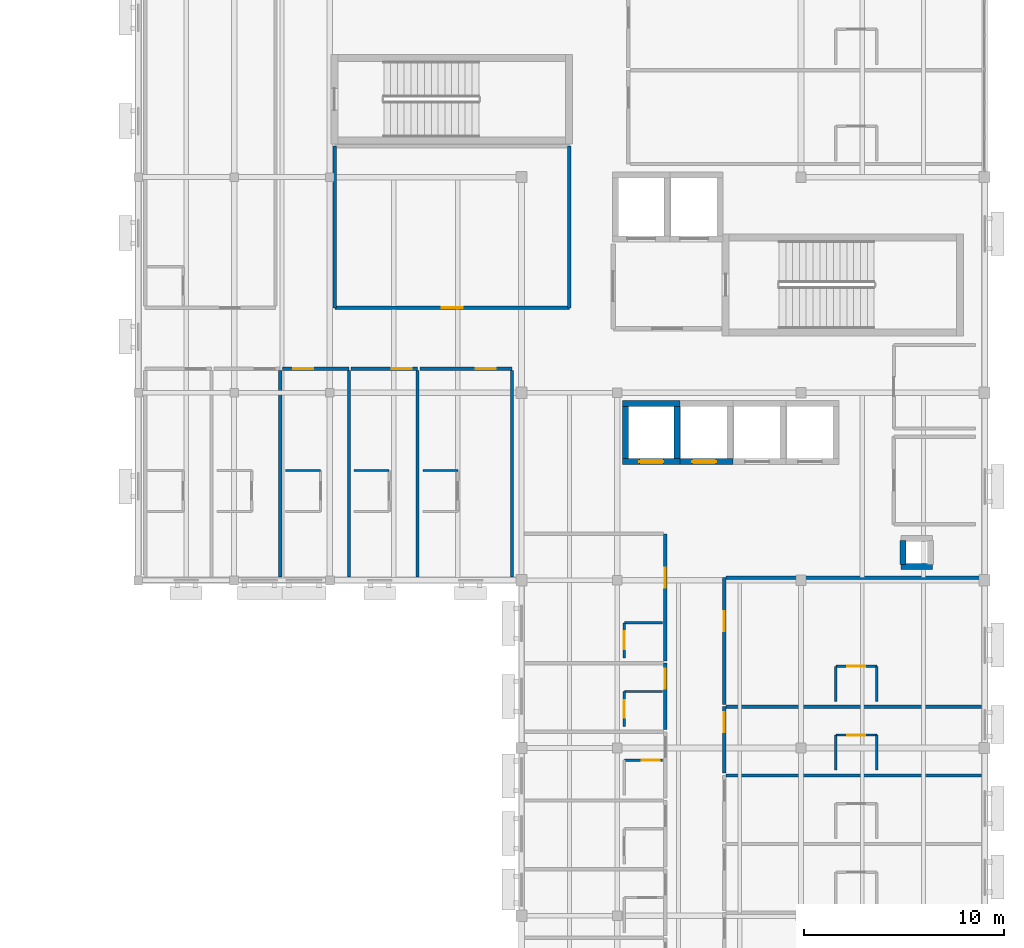
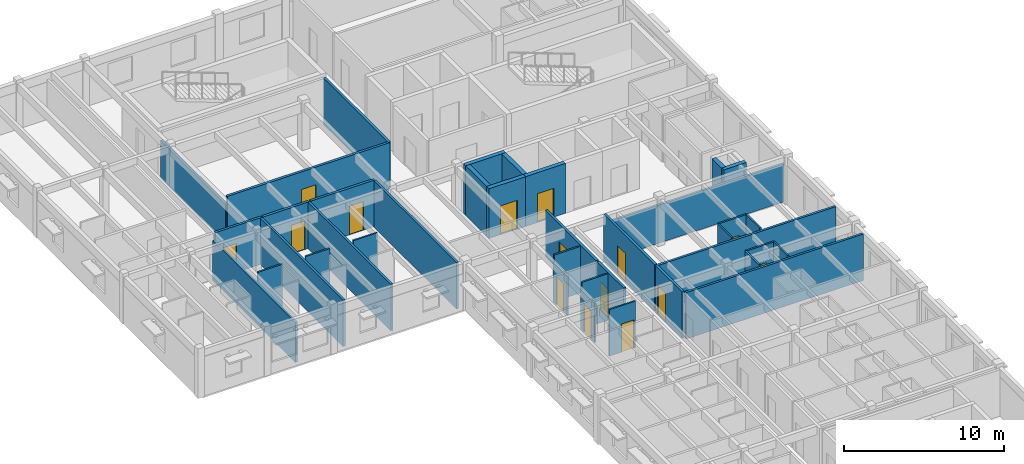
# One storey, part 17 of 31: 38 walls, 15 doors, 15 openings.
"""IFC4 building model written with IfcOpenShell, lengths in metres."""

import ifcopenshell
import ifcopenshell.guid

model = None  # the IFC model being written
_history = None  # IfcOwnerHistory: only IFC2X3 demands one
_inside = {}  # id of a spatial element -> (the spatial element, [elements in it])
_under = {}  # id of a project, library or spatial element -> (it, [spatial elements below it])
_declared = {}  # id of a project -> (the project, [libraries it declares])
_typed = {}  # id of a type object -> (the type object, [elements of that type])
_made_of = {}  # id of a material, layer set ... -> (it, [elements and type objects made of it])


def new_model(schema):
    """Start an empty IFC model of exactly this schema.

    Asked for "IFC4X3", IfcOpenShell would pick the latest addendum, in which some entities
    have other attributes; the version numbers below select the first issue.
    IFC2X3 requires an IfcOwnerHistory on every rooted entity: one is made here for all.
    """
    global model, _history
    if schema == "IFC4X3":
        model = ifcopenshell.file(schema_version=(4, 3, 0, 0))
    else:
        model = ifcopenshell.file(schema=schema)
    _inside.clear()
    _under.clear()
    _declared.clear()
    _typed.clear()
    _made_of.clear()
    _history = None
    if model.schema == "IFC2X3":
        org = make("IfcOrganization", Name="unknown")
        user = make(
            "IfcPersonAndOrganization",
            ThePerson=make("IfcPerson", FamilyName="unknown"),
            TheOrganization=org,
        )
        app = make(
            "IfcApplication",
            ApplicationDeveloper=org,
            Version="unknown",
            ApplicationFullName="unknown",
            ApplicationIdentifier="unknown",
        )
        _history = make(
            "IfcOwnerHistory",
            OwningUser=user,
            OwningApplication=app,
            ChangeAction="ADDED",
            CreationDate=0,
        )
    return model


def make(cls, **values):
    """One entity of the class cls with the attributes given. An attribute that is None is left unset."""
    return model.create_entity(
        cls, **{name: value for name, value in values.items() if value is not None}
    )


def rooted(cls, **values):
    """An entity with a GlobalId (a new one), such as an element, a storey or a relation."""
    return make(cls, GlobalId=ifcopenshell.guid.new(), OwnerHistory=_history, **values)


def si_unit(unit_type, name, prefix=None):
    """IfcSIUnit, for example si_unit("LENGTHUNIT", "METRE", prefix="MILLI")."""
    return make("IfcSIUnit", UnitType=unit_type, Prefix=prefix, Name=name)


def assignment(units):
    """IfcUnitAssignment: the units of a project."""
    return None if units is None else make("IfcUnitAssignment", Units=units)


def point(xyz):
    """IfcCartesianPoint."""
    return None if xyz is None else make("IfcCartesianPoint", Coordinates=xyz)


def direction(xyz):
    """IfcDirection."""
    return None if xyz is None else make("IfcDirection", DirectionRatios=xyz)


def frame(location, z_axis=None, x_axis=None):
    """IfcAxis2Placement3D, a coordinate frame: its origin and axes. An axis left out is left unset."""
    return make(
        "IfcAxis2Placement3D",
        Location=point(location),
        Axis=direction(z_axis),
        RefDirection=direction(x_axis),
    )


def frame_2d(location, x_axis=None):
    """IfcAxis2Placement2D, a coordinate frame in the plane: its origin and x axis."""
    return make(
        "IfcAxis2Placement2D", Location=point(location), RefDirection=direction(x_axis)
    )


def origin():
    """The frame at (0, 0, 0) with its axes left unset."""
    return frame((0.0, 0.0, 0.0))


def place(relative_to, where):
    """IfcLocalPlacement: puts the frame where relative to a parent placement (None: the world)."""
    return make(
        "IfcLocalPlacement", PlacementRelTo=relative_to, RelativePlacement=where
    )


def context(
    kind, dimensions, precision=None, world=None, true_north=None, identifier=None
):
    """IfcGeometricRepresentationContext, for example the 3D "Model" context."""
    return make(
        "IfcGeometricRepresentationContext",
        ContextIdentifier=identifier,
        ContextType=kind,
        CoordinateSpaceDimension=dimensions,
        Precision=precision,
        WorldCoordinateSystem=world,
        TrueNorth=true_north,
    )


def subcontext(parent, identifier, kind, view, scale=None):
    """IfcGeometricRepresentationSubContext, for example "Body" below "Model"."""
    return make(
        "IfcGeometricRepresentationSubContext",
        ContextIdentifier=identifier,
        ContextType=kind,
        ParentContext=parent,
        TargetScale=scale,
        TargetView=view,
    )


def project(units=None, contexts=None):
    """IfcProject with its units and contexts."""
    return rooted(
        "IfcProject",
        Name="project",
        RepresentationContexts=contexts,
        UnitsInContext=assignment(units),
    )


def spatial(cls, under=None, at=None, **own):
    """A site, building, storey or space (cls), placed at a placement, below another one or the project."""
    s = rooted(cls, ObjectPlacement=at, **own)
    if under is not None:
        _under.setdefault(under.id(), (under, []))[1].append(s)
    return s


def profile(cls, at=None, kind="AREA", **sizes):
    """A parametric profile (cls). Its sizes go by their IFC names, for example OverallWidth=200.0."""
    return make(cls, ProfileType=kind, Position=at, **sizes)


def rectangle(**sizes):
    """IfcRectangleProfileDef."""
    return profile("IfcRectangleProfileDef", **sizes)


def extrude(swept, where, along, depth):
    """IfcExtrudedAreaSolid: the profile swept, set in the frame where, extruded along a direction by depth."""
    return make(
        "IfcExtrudedAreaSolid",
        SweptArea=swept,
        Position=where,
        ExtrudedDirection=direction(along),
        Depth=depth,
    )


def shape(context_of_items, identifier, shape_type, items):
    """IfcShapeRepresentation: the items that make up one representation, for example the "Body"."""
    return make(
        "IfcShapeRepresentation",
        ContextOfItems=context_of_items,
        RepresentationIdentifier=identifier,
        RepresentationType=shape_type,
        Items=items,
    )


def material(Name=None, Category=None):
    """IfcMaterial."""
    return make("IfcMaterial", Name=Name, Category=Category)


def layer(
    of_material, thickness, ventilated=None, Name=None, Category=None, Priority=None
):
    """IfcMaterialLayer: one layer of a wall or slab, of a material (None: an air gap)."""
    return make(
        "IfcMaterialLayer",
        Material=of_material,
        LayerThickness=thickness,
        IsVentilated=ventilated,
        Name=Name,
        Category=Category,
        Priority=Priority,
    )


def layer_set(layers, Name=None):
    """IfcMaterialLayerSet."""
    return make("IfcMaterialLayerSet", MaterialLayers=layers, LayerSetName=Name)


def made_of(thing, what):
    """Note that an element or type object is made of a material, layer set ...; save() writes the relation."""
    if what is not None:
        _made_of.setdefault(what.id(), (what, []))[1].append(thing)
    return thing


def type_object(cls, material=None, **own):
    """A type object (cls), such as IfcWallType, which elements share."""
    return made_of(rooted(cls, **own), material)


def element(
    cls,
    number,
    at=None,
    inside=None,
    cuts=None,
    type_object=None,
    material=None,
    context=None,
    identifier="Body",
    shape_type=None,
    held_by="IfcProductDefinitionShape",
    body=None,
    shapes=None,
    **own,
):
    """One element of the class cls, such as IfcWall. Its Tag is "e" and its number.

    at: its placement. inside: the storey or other place that contains it. cuts: it is an
    opening in that element (IfcRelVoidsElement). A single representation is given by context,
    identifier, shape_type and body (its items); several are given by shapes. held_by: the class
    of the entity that holds the representations. save() writes the other relations.
    """
    e = rooted(cls, Tag="e%d" % number, ObjectPlacement=at, **own)
    if body is not None:
        shapes = [shape(context, identifier, shape_type, body)]
    if shapes is not None:
        e.Representation = make(held_by, Representations=shapes)
    if inside is not None:
        _inside.setdefault(inside.id(), (inside, []))[1].append(e)
    if cuts is not None:
        rooted(
            "IfcRelVoidsElement", RelatingBuildingElement=cuts, RelatedOpeningElement=e
        )
    if type_object is not None:
        _typed.setdefault(type_object.id(), (type_object, []))[1].append(e)
    return made_of(e, material)


def fill(opening, filler):
    """IfcRelFillsElement: the door or window that sits in an opening."""
    return rooted(
        "IfcRelFillsElement",
        RelatingOpeningElement=opening,
        RelatedBuildingElement=filler,
    )


def aggregate(whole, parts):
    """IfcRelAggregates: a whole, such as a stair, and the parts it consists of."""
    return rooted("IfcRelAggregates", RelatingObject=whole, RelatedObjects=parts)


def save(model, path):
    """Write the relations noted so far, then the file.

    IfcRelAggregates (storeys below a building ...), IfcRelContainedInSpatialStructure (elements
    in a storey), IfcRelDefinesByType, IfcRelAssociatesMaterial and IfcRelDeclares: one each for
    every whole, place, type object, material and project.
    """
    for whole, parts in _under.values():
        aggregate(whole, parts)
    for where, things in _inside.values():
        rooted(
            "IfcRelContainedInSpatialStructure",
            RelatedElements=things,
            RelatingStructure=where,
        )
    for kind, things in _typed.values():
        rooted("IfcRelDefinesByType", RelatedObjects=things, RelatingType=kind)
    for what, things in _made_of.values():
        rooted("IfcRelAssociatesMaterial", RelatedObjects=things, RelatingMaterial=what)
    for by, libraries in _declared.values():
        rooted("IfcRelDeclares", RelatingContext=by, RelatedDefinitions=libraries)
    model.write(path)


model = new_model("IFC4")

# Units and contexts
model_context = context("Model", 3, precision=1e-05, world=origin(), true_north=direction((0.0, 1.0)))
body_context = subcontext(model_context, "Body", "Model", "MODEL_VIEW")
ifc_project = project(units=[si_unit("LENGTHUNIT", "METRE"), si_unit("AREAUNIT", "SQUARE_METRE"), si_unit("VOLUMEUNIT", "CUBIC_METRE"), si_unit("PLANEANGLEUNIT", "RADIAN"), si_unit("MASSUNIT", "GRAM", prefix="KILO")], contexts=[model_context])

# Site, building, storey
site_placement = place(None, origin())
site = spatial("IfcSite", under=ifc_project, at=site_placement, CompositionType="ELEMENT")
building_placement = place(site_placement, origin())
building = spatial("IfcBuilding", under=site, at=building_placement, Name="Veldera Park Congress Hotel", CompositionType="ELEMENT")
storey_placement = place(building_placement, frame((0.0, 0.0, 20.0)))
storey = spatial("IfcBuildingStorey", under=building, at=storey_placement, Name="L04", CompositionType="ELEMENT", Elevation=20.0)

# Wall, opening, door
ifc_material_1 = material(Name="Fire-Rated Gypsum Board on Cold-Formed Steel Studs", Category="steel")
ifc_layer_1 = layer(ifc_material_1, 0.1201171875)
ifc_layer_set_1 = layer_set([ifc_layer_1], Name="Fire-Rated Gypsum Board on Cold-Formed Steel Studs")
wall_type_1 = type_object("IfcWallType", Name="IW-BATH120", PredefinedType="PARTITIONING", material=ifc_layer_set_1)
wall_1_placement = place(storey_placement, frame((65.949951171875, 17.989990234375, 0.0), z_axis=(0.0, 0.0, 1.0), x_axis=(1.0, 0.0, 0.0)))
wall_1 = element("IfcWall", 1, at=wall_1_placement, inside=storey, type_object=wall_type_1, Name="L04 Partition Wall IW3-L04-00870", PredefinedType="PARTITIONING", context=body_context, shape_type="SweptSolid", body=[
    extrude(rectangle(XDim=1.900146484375, YDim=0.1201171875, at=frame_2d((0.9501953125, 0.0))), origin(), (0.0, 0.0, 1.0), 3.550048828125),
])
opening_1_placement = place(wall_1_placement, frame((0.8798828125, 0.0, 0.0)))
opening_1 = element("IfcOpeningElement", 2, at=opening_1_placement, cuts=wall_1, Name="Opening ID-BATH090", PredefinedType="OPENING", context=body_context, shape_type="SweptSolid", body=[
    extrude(rectangle(XDim=0.89990234375, YDim=2.14990234375, at=frame_2d((0.449951171875, 1.074951171875))), frame((0.0, 0.072021484375, 0.0), z_axis=(0.0, -1.0, 0.0), x_axis=(1.0, 0.0, 0.0)), (0.0, 0.0, 1.0), 0.14404296875),
])
ifc_material_2 = material(Name="Solid Core White Oak Architectural Door", Category="wood")
door_type_1 = type_object("IfcDoorType", Name="ID-BATH090", OperationType="NOTDEFINED", PredefinedType="DOOR", material=ifc_material_2)
door_1_placement = place(opening_1_placement, origin())
door_1 = element("IfcDoor", 3, at=door_1_placement, inside=storey, type_object=door_type_1, Name="L04 En-suite 111 Door ID3-L04-0361 (DR3-ID3-L04-0361)", OperationType="SINGLE_SWING_LEFT", OverallHeight=2.14990234375, OverallWidth=0.89990234375, PredefinedType="DOOR", context=body_context, shape_type="SweptSolid", body=[
    extrude(rectangle(XDim=0.89990234375, YDim=2.14990234375, at=frame_2d((0.449951171875, 1.074951171875))), frame((0.0, 0.02490234375, 0.0), z_axis=(0.0, -1.0, 0.0), x_axis=(1.0, 0.0, 0.0)), (0.0, 0.0, 1.0), 0.050048828125),
])
fill(opening_1, door_1)

wall_2_placement = place(storey_placement, frame((65.949951171875, 19.679931640625, 0.0), z_axis=(0.0, 0.0, 1.0), x_axis=(0.0, 1.0, 0.0)))
wall_2 = element("IfcWall", 4, at=wall_2_placement, inside=storey, type_object=wall_type_1, Name="L04 Partition Wall IW3-L04-00873", PredefinedType="PARTITIONING", context=body_context, shape_type="SweptSolid", body=[
    extrude(rectangle(XDim=1.75, YDim=0.1201171875, at=frame_2d((0.875, 0.0))), origin(), (0.0, 0.0, 1.0), 3.0048828125),
])
opening_2_placement = place(wall_2_placement, frame((0.425048828125, 0.0, 0.0)))
opening_2 = element("IfcOpeningElement", 5, at=opening_2_placement, cuts=wall_2, Name="Opening ID-BATH090", PredefinedType="OPENING", context=body_context, shape_type="SweptSolid", body=[
    extrude(rectangle(XDim=0.89990234375, YDim=2.14990234375, at=frame_2d((0.449951171875, 1.074951171875))), frame((0.0, 0.072021484375, 0.0), z_axis=(0.0, -1.0, 0.0), x_axis=(1.0, 0.0, 0.0)), (0.0, 0.0, 1.0), 0.14404296875),
])
door_2_placement = place(opening_2_placement, origin())
door_2 = element("IfcDoor", 6, at=door_2_placement, inside=storey, type_object=door_type_1, Name="L04 En-suite 112 Door ID3-L04-0363 (DR3-ID3-L04-0363)", OperationType="SINGLE_SWING_LEFT", OverallHeight=2.14990234375, OverallWidth=0.89990234375, PredefinedType="DOOR", context=body_context, shape_type="SweptSolid", body=[
    extrude(rectangle(XDim=0.89990234375, YDim=2.14990234375, at=frame_2d((0.449951171875, 1.074951171875))), frame((0.0, 0.02490234375, 0.0), z_axis=(0.0, -1.0, 0.0), x_axis=(1.0, 0.0, 0.0)), (0.0, 0.0, 1.0), 0.050048828125),
])
fill(opening_2, door_2)

# Wall
wall_3_placement = place(storey_placement, frame((65.949951171875, 21.429931640625, 0.0), z_axis=(0.0, 0.0, 1.0), x_axis=(1.0, 0.0, 0.0)))
element("IfcWall", 7, at=wall_3_placement, inside=storey, type_object=wall_type_1, Name="L04 Partition Wall IW3-L04-00874", PredefinedType="PARTITIONING", context=body_context, shape_type="SweptSolid", body=[
    extrude(rectangle(XDim=1.900146484375, YDim=0.1201171875, at=frame_2d((0.9501953125, 0.0))), origin(), (0.0, 0.0, 1.0), 3.550048828125),
])

# Wall, opening, door
wall_4_placement = place(storey_placement, frame((65.949951171875, 23.1201171875, 0.0), z_axis=(0.0, 0.0, 1.0), x_axis=(0.0, 1.0, 0.0)))
wall_4 = element("IfcWall", 8, at=wall_4_placement, inside=storey, type_object=wall_type_1, Name="L04 Partition Wall IW3-L04-00877", PredefinedType="PARTITIONING", context=body_context, shape_type="SweptSolid", body=[
    extrude(rectangle(XDim=1.75, YDim=0.1201171875, at=frame_2d((0.875, 0.0))), origin(), (0.0, 0.0, 1.0), 3.0048828125),
])
opening_3_placement = place(wall_4_placement, frame((0.425048828125, 0.0, 0.0)))
opening_3 = element("IfcOpeningElement", 9, at=opening_3_placement, cuts=wall_4, Name="Opening ID-BATH090", PredefinedType="OPENING", context=body_context, shape_type="SweptSolid", body=[
    extrude(rectangle(XDim=0.89990234375, YDim=2.14990234375, at=frame_2d((0.449951171875, 1.074951171875))), frame((0.0, 0.072021484375, 0.0), z_axis=(0.0, -1.0, 0.0), x_axis=(1.0, 0.0, 0.0)), (0.0, 0.0, 1.0), 0.14404296875),
])
door_3_placement = place(opening_3_placement, origin())
door_3 = element("IfcDoor", 10, at=door_3_placement, inside=storey, type_object=door_type_1, Name="L04 En-suite 113 Door ID3-L04-0365 (DR3-ID3-L04-0365)", OperationType="SINGLE_SWING_LEFT", OverallHeight=2.14990234375, OverallWidth=0.89990234375, PredefinedType="DOOR", context=body_context, shape_type="SweptSolid", body=[
    extrude(rectangle(XDim=0.89990234375, YDim=2.14990234375, at=frame_2d((0.449951171875, 1.074951171875))), frame((0.0, 0.02490234375, 0.0), z_axis=(0.0, -1.0, 0.0), x_axis=(1.0, 0.0, 0.0)), (0.0, 0.0, 1.0), 0.050048828125),
])
fill(opening_3, door_3)

# Walls
wall_5_placement = place(storey_placement, frame((65.949951171875, 24.8701171875, 0.0), z_axis=(0.0, 0.0, 1.0), x_axis=(1.0, 0.0, 0.0)))
element("IfcWall", 11, at=wall_5_placement, inside=storey, type_object=wall_type_1, Name="L04 Partition Wall IW3-L04-00878", PredefinedType="PARTITIONING", context=body_context, shape_type="SweptSolid", body=[
    extrude(rectangle(XDim=1.900146484375, YDim=0.1201171875, at=frame_2d((0.9501953125, 0.0))), origin(), (0.0, 0.0, 1.0), 3.550048828125),
])
for number, where, z_axis, x_axis, name in (
    (12, (76.550048828125, 17.5, 0.0), (0.0, 0.0, 1.0), (0.0, 1.0, 0.0), "L04 Partition Wall IW3-L04-00958"),
    (13, (78.60009765625, 17.5, 0.0), (0.0, 0.0, 1.0), (0.0, 1.0, 0.0), "L04 Partition Wall IW3-L04-00959"),
):
    element("IfcWall", number, at=place(storey_placement, frame(where, z_axis=z_axis, x_axis=x_axis)), inside=storey, type_object=wall_type_1, Name=name, PredefinedType="PARTITIONING", context=body_context, shape_type="SweptSolid", body=[
        extrude(rectangle(XDim=1.75, YDim=0.1201171875, at=frame_2d((0.875, 0.0))), origin(), (0.0, 0.0, 1.0), 3.550048828125),
    ])

# Wall, opening, door
wall_6_placement = place(storey_placement, frame((76.550048828125, 19.25, 0.0), z_axis=(0.0, 0.0, 1.0), x_axis=(1.0, 0.0, 0.0)))
wall_6 = element("IfcWall", 14, at=wall_6_placement, inside=storey, type_object=wall_type_1, Name="L04 Partition Wall IW3-L04-00960", PredefinedType="PARTITIONING", context=body_context, shape_type="SweptSolid", body=[
    extrude(rectangle(XDim=2.050048828125, YDim=0.1201171875, at=frame_2d((1.02490234375, 0.0))), origin(), (0.0, 0.0, 1.0), 3.550048828125),
])
opening_4_placement = place(wall_6_placement, frame((0.574951171875, 0.0, 0.0)))
opening_4 = element("IfcOpeningElement", 15, at=opening_4_placement, cuts=wall_6, Name="Opening ID-BATH090", PredefinedType="OPENING", context=body_context, shape_type="SweptSolid", body=[
    extrude(rectangle(XDim=0.89990234375, YDim=2.14990234375, at=frame_2d((0.449951171875, 1.074951171875))), frame((0.0, 0.072021484375, 0.0), z_axis=(0.0, -1.0, 0.0), x_axis=(1.0, 0.0, 0.0)), (0.0, 0.0, 1.0), 0.14404296875),
])
door_4_placement = place(opening_4_placement, origin())
door_4 = element("IfcDoor", 16, at=door_4_placement, inside=storey, type_object=door_type_1, Name="L04 En-suite 129 Door ID3-L04-0397 (DR3-ID3-L04-0397)", OperationType="SINGLE_SWING_LEFT", OverallHeight=2.14990234375, OverallWidth=0.89990234375, PredefinedType="DOOR", context=body_context, shape_type="SweptSolid", body=[
    extrude(rectangle(XDim=0.89990234375, YDim=2.14990234375, at=frame_2d((0.449951171875, 1.074951171875))), frame((0.0, 0.02490234375, 0.0), z_axis=(0.0, -1.0, 0.0), x_axis=(1.0, 0.0, 0.0)), (0.0, 0.0, 1.0), 0.050048828125),
])
fill(opening_4, door_4)

# Walls
for number, where, z_axis, x_axis, name in (
    (17, (76.550048828125, 20.93994140625, 0.0), (0.0, 0.0, 1.0), (0.0, 1.0, 0.0), "L04 Partition Wall IW3-L04-00963"),
    (18, (78.60009765625, 20.93994140625, 0.0), (0.0, 0.0, 1.0), (0.0, 1.0, 0.0), "L04 Partition Wall IW3-L04-00964"),
):
    element("IfcWall", number, at=place(storey_placement, frame(where, z_axis=z_axis, x_axis=x_axis)), inside=storey, type_object=wall_type_1, Name=name, PredefinedType="PARTITIONING", context=body_context, shape_type="SweptSolid", body=[
        extrude(rectangle(XDim=1.75, YDim=0.1201171875, at=frame_2d((0.875, 0.0))), origin(), (0.0, 0.0, 1.0), 3.550048828125),
    ])

# Wall, opening, door
wall_7_placement = place(storey_placement, frame((76.550048828125, 22.68994140625, 0.0), z_axis=(0.0, 0.0, 1.0), x_axis=(1.0, 0.0, 0.0)))
wall_7 = element("IfcWall", 19, at=wall_7_placement, inside=storey, type_object=wall_type_1, Name="L04 Partition Wall IW3-L04-00965", PredefinedType="PARTITIONING", context=body_context, shape_type="SweptSolid", body=[
    extrude(rectangle(XDim=2.050048828125, YDim=0.1201171875, at=frame_2d((1.02490234375, 0.0))), origin(), (0.0, 0.0, 1.0), 3.550048828125),
])
opening_5_placement = place(wall_7_placement, frame((0.574951171875, 0.0, 0.0)))
opening_5 = element("IfcOpeningElement", 20, at=opening_5_placement, cuts=wall_7, Name="Opening ID-BATH090", PredefinedType="OPENING", context=body_context, shape_type="SweptSolid", body=[
    extrude(rectangle(XDim=0.89990234375, YDim=2.14990234375, at=frame_2d((0.449951171875, 1.074951171875))), frame((0.0, 0.072021484375, 0.0), z_axis=(0.0, -1.0, 0.0), x_axis=(1.0, 0.0, 0.0)), (0.0, 0.0, 1.0), 0.14404296875),
])
door_5_placement = place(opening_5_placement, origin())
door_5 = element("IfcDoor", 21, at=door_5_placement, inside=storey, type_object=door_type_1, Name="L04 En-suite 130 Door ID3-L04-0399 (DR3-ID3-L04-0399)", OperationType="SINGLE_SWING_LEFT", OverallHeight=2.14990234375, OverallWidth=0.89990234375, PredefinedType="DOOR", context=body_context, shape_type="SweptSolid", body=[
    extrude(rectangle(XDim=0.89990234375, YDim=2.14990234375, at=frame_2d((0.449951171875, 1.074951171875))), frame((0.0, 0.02490234375, 0.0), z_axis=(0.0, -1.0, 0.0), x_axis=(1.0, 0.0, 0.0)), (0.0, 0.0, 1.0), 0.050048828125),
])
fill(opening_5, door_5)

# Walls
for number, where, z_axis, x_axis, name in (
    (22, (48.97998046875, 32.5, 0.0), (0.0, 0.0, 1.0), (1.0, 0.0, 0.0), "L04 Partition Wall IW3-L04-00979"),
    (23, (52.419921875, 32.5, 0.0), (0.0, 0.0, 1.0), (1.0, 0.0, 0.0), "L04 Partition Wall IW3-L04-00984"),
    (24, (55.860107421875, 32.5, 0.0), (0.0, 0.0, 1.0), (1.0, 0.0, 0.0), "L04 Partition Wall IW3-L04-00989"),
):
    element("IfcWall", number, at=place(storey_placement, frame(where, z_axis=z_axis, x_axis=x_axis)), inside=storey, type_object=wall_type_1, Name=name, PredefinedType="PARTITIONING", context=body_context, shape_type="SweptSolid", body=[
        extrude(rectangle(XDim=1.75, YDim=0.1201171875, at=frame_2d((0.875, 0.0))), origin(), (0.0, 0.0, 1.0), 3.550048828125),
    ])

# Wall, opening, door
ifc_layer_2 = layer(ifc_material_1, 0.179931640625)
ifc_layer_set_2 = layer_set([ifc_layer_2], Name="Fire-Rated Gypsum Board on Cold-Formed Steel Studs")
wall_type_2 = type_object("IfcWallType", Name="IW-CORR180", PredefinedType="PARTITIONING", material=ifc_layer_set_2)
wall_8_placement = place(storey_placement, frame((51.449951171875, 40.64990234375, 0.0), z_axis=(0.0, 0.0, 1.0), x_axis=(1.0, 0.0, 0.0)))
wall_8 = element("IfcWall", 25, at=wall_8_placement, inside=storey, type_object=wall_type_2, Name="L04 Partition Wall IW3-L04-00245", PredefinedType="PARTITIONING", context=body_context, shape_type="SweptSolid", body=[
    extrude(rectangle(XDim=11.75, YDim=0.179931640625, at=frame_2d((5.875, 0.0))), origin(), (0.0, 0.0, 1.0), 3.550048828125),
])
opening_6_placement = place(wall_8_placement, frame((5.35009765625, 0.0, 0.0)))
opening_6 = element("IfcOpeningElement", 26, at=opening_6_placement, cuts=wall_8, Name="Opening ID-MEET105", PredefinedType="OPENING", context=body_context, shape_type="SweptSolid", body=[
    extrude(rectangle(XDim=1.050048828125, YDim=2.199951171875, at=frame_2d((0.52490234375, 1.10009765625))), frame((0.0, 0.10205078125, 0.0), z_axis=(0.0, -1.0, 0.0), x_axis=(1.0, 0.0, 0.0)), (0.0, 0.0, 1.0), 0.203857421875),
])
door_type_2 = type_object("IfcDoorType", Name="ID-MEET105", OperationType="NOTDEFINED", PredefinedType="DOOR", material=ifc_material_2)
door_6_placement = place(opening_6_placement, origin())
door_6 = element("IfcDoor", 27, at=door_6_placement, inside=storey, type_object=door_type_2, Name="L04 L04 North Garden Executive Boardroom Door ID3-L04-0089 (DR3-ID3-L04-0089)", OperationType="SINGLE_SWING_RIGHT", OverallHeight=2.199951171875, OverallWidth=1.050048828125, PredefinedType="DOOR", context=body_context, shape_type="SweptSolid", body=[
    extrude(rectangle(XDim=1.050048828125, YDim=2.199951171875, at=frame_2d((0.52490234375, 1.10009765625))), frame((0.0, 0.02490234375, 0.0), z_axis=(0.0, -1.0, 0.0), x_axis=(1.0, 0.0, 0.0)), (0.0, 0.0, 1.0), 0.050048828125),
])
fill(opening_6, door_6)

# Walls
wall_9_placement = place(storey_placement, frame((63.199951171875, 40.64990234375, 0.0), z_axis=(0.0, 0.0, 1.0), x_axis=(0.0, 1.0, 0.0)))
element("IfcWall", 28, at=wall_9_placement, inside=storey, type_object=wall_type_2, Name="L04 Partition Wall IW3-L04-00246", PredefinedType="PARTITIONING", context=body_context, shape_type="SweptSolid", body=[
    extrude(rectangle(XDim=8.10009765625, YDim=0.179931640625, at=frame_2d((4.050048828125, 0.0))), origin(), (0.0, 0.0, 1.0), 3.550048828125),
])
wall_10_placement = place(storey_placement, frame((51.449951171875, 48.75, 0.0), z_axis=(0.0, 0.0, 1.0), x_axis=(0.0, -1.0, 0.0)))
element("IfcWall", 29, at=wall_10_placement, inside=storey, type_object=wall_type_2, Name="L04 Partition Wall IW3-L04-00248", PredefinedType="PARTITIONING", context=body_context, shape_type="SweptSolid", body=[
    extrude(rectangle(XDim=8.10009765625, YDim=0.179931640625, at=frame_2d((4.050048828125, 0.0))), origin(), (0.0, 0.0, 1.0), 2.905029296875),
])

# Wall, opening, door
wall_11_placement = place(storey_placement, frame((68.0, 19.530029296875, 0.0), z_axis=(0.0, 0.0, 1.0), x_axis=(0.0, 1.0, 0.0)))
wall_11 = element("IfcWall", 30, at=wall_11_placement, inside=storey, type_object=wall_type_2, Name="L04 Corridor Wall IW3-L04-00871", PredefinedType="PARTITIONING", context=body_context, shape_type="SweptSolid", body=[
    extrude(rectangle(XDim=3.320068359375, YDim=0.179931640625, at=frame_2d((1.66015625, 0.0))), origin(), (0.0, 0.0, 1.0), 3.550048828125),
])
opening_7_placement = place(wall_11_placement, frame((2.0400390625, 0.0, 0.0)))
opening_7 = element("IfcOpeningElement", 31, at=opening_7_placement, cuts=wall_11, Name="Opening ID-UNIT100", PredefinedType="OPENING", context=body_context, shape_type="SweptSolid", body=[
    extrude(rectangle(XDim=1.0, YDim=2.199951171875, at=frame_2d((0.5, 1.10009765625))), frame((0.0, 0.10205078125, 0.0), z_axis=(0.0, -1.0, 0.0), x_axis=(1.0, 0.0, 0.0)), (0.0, 0.0, 1.0), 0.203857421875),
])
door_type_3 = type_object("IfcDoorType", Name="ID-UNIT100", OperationType="NOTDEFINED", PredefinedType="DOOR", material=ifc_material_2)
door_7_placement = place(opening_7_placement, origin())
door_7 = element("IfcDoor", 32, at=door_7_placement, inside=storey, type_object=door_type_3, Name="L04 Guestroom 112 Entry Door (DR3-UD3-L04-112)", OperationType="SINGLE_SWING_RIGHT", OverallHeight=2.199951171875, OverallWidth=1.0, PredefinedType="DOOR", context=body_context, shape_type="SweptSolid", body=[
    extrude(rectangle(XDim=1.0, YDim=2.199951171875, at=frame_2d((0.5, 1.10009765625))), frame((0.0, 0.02490234375, 0.0), z_axis=(0.0, -1.0, 0.0), x_axis=(1.0, 0.0, 0.0)), (0.0, 0.0, 1.0), 0.050048828125),
])
fill(opening_7, door_7)

wall_12_placement = place(storey_placement, frame((68.0, 22.969970703125, 0.0), z_axis=(0.0, 0.0, 1.0), x_axis=(0.0, 1.0, 0.0)))
wall_12 = element("IfcWall", 33, at=wall_12_placement, inside=storey, type_object=wall_type_2, Name="L04 Corridor Wall IW3-L04-00875", PredefinedType="PARTITIONING", context=body_context, shape_type="SweptSolid", body=[
    extrude(rectangle(XDim=6.360107421875, YDim=0.179931640625, at=frame_2d((3.18017578125, 0.0))), origin(), (0.0, 0.0, 1.0), 3.550048828125),
])
opening_8_placement = place(wall_12_placement, frame((3.659912109375, 0.0, 0.0)))
opening_8 = element("IfcOpeningElement", 34, at=opening_8_placement, cuts=wall_12, Name="Opening ID-UNIT100", PredefinedType="OPENING", context=body_context, shape_type="SweptSolid", body=[
    extrude(rectangle(XDim=1.0, YDim=2.199951171875, at=frame_2d((0.5, 1.10009765625))), frame((0.0, 0.10205078125, 0.0), z_axis=(0.0, -1.0, 0.0), x_axis=(1.0, 0.0, 0.0)), (0.0, 0.0, 1.0), 0.203857421875),
])
door_8_placement = place(opening_8_placement, origin())
door_8 = element("IfcDoor", 35, at=door_8_placement, inside=storey, type_object=door_type_3, Name="L04 Guestroom 113 Entry Door (DR3-UD3-L04-113)", OperationType="SINGLE_SWING_RIGHT", OverallHeight=2.199951171875, OverallWidth=1.0, PredefinedType="DOOR", context=body_context, shape_type="SweptSolid", body=[
    extrude(rectangle(XDim=1.0, YDim=2.199951171875, at=frame_2d((0.5, 1.10009765625))), frame((0.0, 0.02490234375, 0.0), z_axis=(0.0, -1.0, 0.0), x_axis=(1.0, 0.0, 0.0)), (0.0, 0.0, 1.0), 0.050048828125),
])
fill(opening_8, door_8)

wall_13_placement = place(storey_placement, frame((70.949951171875, 20.669921875, 0.0), z_axis=(0.0, 0.0, 1.0), x_axis=(0.0, -1.0, 0.0)))
wall_13 = element("IfcWall", 36, at=wall_13_placement, inside=storey, type_object=wall_type_2, Name="L04 Corridor Wall IW3-L04-00956", PredefinedType="PARTITIONING", context=body_context, shape_type="SweptSolid", body=[
    extrude(rectangle(XDim=3.31982421875, YDim=0.179931640625, at=frame_2d((1.659912109375, 0.0))), origin(), (0.0, 0.0, 1.0), 3.550048828125),
])
opening_9_placement = place(wall_13_placement, frame((0.280029296875, 0.0, 0.0)))
opening_9 = element("IfcOpeningElement", 37, at=opening_9_placement, cuts=wall_13, Name="Opening ID-UNIT100", PredefinedType="OPENING", context=body_context, shape_type="SweptSolid", body=[
    extrude(rectangle(XDim=1.0, YDim=2.199951171875, at=frame_2d((0.5, 1.10009765625))), frame((0.0, 0.10205078125, 0.0), z_axis=(0.0, -1.0, 0.0), x_axis=(1.0, 0.0, 0.0)), (0.0, 0.0, 1.0), 0.203857421875),
])
door_9_placement = place(opening_9_placement, origin())
door_9 = element("IfcDoor", 38, at=door_9_placement, inside=storey, type_object=door_type_3, Name="L04 Guestroom 129 Entry Door (DR3-UD3-L04-129)", OperationType="SINGLE_SWING_RIGHT", OverallHeight=2.199951171875, OverallWidth=1.0, PredefinedType="DOOR", context=body_context, shape_type="SweptSolid", body=[
    extrude(rectangle(XDim=1.0, YDim=2.199951171875, at=frame_2d((0.5, 1.10009765625))), frame((0.0, 0.02490234375, 0.0), z_axis=(0.0, -1.0, 0.0), x_axis=(1.0, 0.0, 0.0)), (0.0, 0.0, 1.0), 0.050048828125),
])
fill(opening_9, door_9)

wall_14_placement = place(storey_placement, frame((70.949951171875, 27.1298828125, 0.0), z_axis=(0.0, 0.0, 1.0), x_axis=(0.0, -1.0, 0.0)))
wall_14 = element("IfcWall", 39, at=wall_14_placement, inside=storey, type_object=wall_type_2, Name="L04 Corridor Wall IW3-L04-00961", PredefinedType="PARTITIONING", context=body_context, shape_type="SweptSolid", body=[
    extrude(rectangle(XDim=6.33984375, YDim=0.179931640625, at=frame_2d((3.169921875, 0.0))), origin(), (0.0, 0.0, 1.0), 3.550048828125),
])
opening_10_placement = place(wall_14_placement, frame((1.68994140625, 0.0, 0.0)))
opening_10 = element("IfcOpeningElement", 40, at=opening_10_placement, cuts=wall_14, Name="Opening ID-UNIT100", PredefinedType="OPENING", context=body_context, shape_type="SweptSolid", body=[
    extrude(rectangle(XDim=1.0, YDim=2.199951171875, at=frame_2d((0.5, 1.10009765625))), frame((0.0, 0.10205078125, 0.0), z_axis=(0.0, -1.0, 0.0), x_axis=(1.0, 0.0, 0.0)), (0.0, 0.0, 1.0), 0.203857421875),
])
door_10_placement = place(opening_10_placement, origin())
door_10 = element("IfcDoor", 41, at=door_10_placement, inside=storey, type_object=door_type_3, Name="L04 Guestroom 130 Entry Door (DR3-UD3-L04-130)", OperationType="SINGLE_SWING_RIGHT", OverallHeight=2.199951171875, OverallWidth=1.0, PredefinedType="DOOR", context=body_context, shape_type="SweptSolid", body=[
    extrude(rectangle(XDim=1.0, YDim=2.199951171875, at=frame_2d((0.5, 1.10009765625))), frame((0.0, 0.02490234375, 0.0), z_axis=(0.0, -1.0, 0.0), x_axis=(1.0, 0.0, 0.0)), (0.0, 0.0, 1.0), 0.050048828125),
])
fill(opening_10, door_10)

wall_15_placement = place(storey_placement, frame((52.14990234375, 37.60009765625, 0.0), z_axis=(0.0, 0.0, 1.0), x_axis=(-1.0, 0.0, 0.0)))
wall_15 = element("IfcWall", 42, at=wall_15_placement, inside=storey, type_object=wall_type_2, Name="L04 Corridor Wall IW3-L04-00977", PredefinedType="PARTITIONING", context=body_context, shape_type="SweptSolid", body=[
    extrude(rectangle(XDim=3.31982421875, YDim=0.179931640625, at=frame_2d((1.659912109375, 0.0))), origin(), (0.0, 0.0, 1.0), 3.550048828125),
])
opening_11_placement = place(wall_15_placement, frame((1.783935546875, 0.0, 0.0)))
opening_11 = element("IfcOpeningElement", 43, at=opening_11_placement, cuts=wall_15, Name="Opening ID-UNIT100", PredefinedType="OPENING", context=body_context, shape_type="SweptSolid", body=[
    extrude(rectangle(XDim=1.0, YDim=2.199951171875, at=frame_2d((0.5, 1.10009765625))), frame((0.0, 0.10205078125, 0.0), z_axis=(0.0, -1.0, 0.0), x_axis=(1.0, 0.0, 0.0)), (0.0, 0.0, 1.0), 0.203857421875),
])
door_11_placement = place(opening_11_placement, frame((1.0, 0.0, 0.0), z_axis=(0.0, 0.0, 1.0), x_axis=(-1.0, 0.0, 0.0)))
door_11 = element("IfcDoor", 44, at=door_11_placement, inside=storey, type_object=door_type_3, Name="L04 Guestroom 133 Entry Door (DR3-UD3-L04-133)", OperationType="SINGLE_SWING_RIGHT", OverallHeight=2.199951171875, OverallWidth=1.0, PredefinedType="DOOR", context=body_context, shape_type="SweptSolid", body=[
    extrude(rectangle(XDim=1.0, YDim=2.199951171875, at=frame_2d((0.5, 1.10009765625))), frame((0.0, 0.02490234375, 0.0), z_axis=(0.0, -1.0, 0.0), x_axis=(1.0, 0.0, 0.0)), (0.0, 0.0, 1.0), 0.050048828125),
])
fill(opening_11, door_11)

wall_16_placement = place(storey_placement, frame((55.590087890625, 37.60009765625, 0.0), z_axis=(0.0, 0.0, 1.0), x_axis=(-1.0, 0.0, 0.0)))
wall_16 = element("IfcWall", 45, at=wall_16_placement, inside=storey, type_object=wall_type_2, Name="L04 Corridor Wall IW3-L04-00982", PredefinedType="PARTITIONING", context=body_context, shape_type="SweptSolid", body=[
    extrude(rectangle(XDim=3.320068359375, YDim=0.179931640625, at=frame_2d((1.66015625, 0.0))), origin(), (0.0, 0.0, 1.0), 3.550048828125),
])
opening_12_placement = place(wall_16_placement, frame((0.280029296875, 0.0, 0.0)))
opening_12 = element("IfcOpeningElement", 46, at=opening_12_placement, cuts=wall_16, Name="Opening ID-UNIT100", PredefinedType="OPENING", context=body_context, shape_type="SweptSolid", body=[
    extrude(rectangle(XDim=1.0, YDim=2.199951171875, at=frame_2d((0.5, 1.10009765625))), frame((0.0, 0.10205078125, 0.0), z_axis=(0.0, -1.0, 0.0), x_axis=(1.0, 0.0, 0.0)), (0.0, 0.0, 1.0), 0.203857421875),
])
door_12_placement = place(opening_12_placement, frame((1.0, 0.0, 0.0), z_axis=(0.0, 0.0, 1.0), x_axis=(-1.0, 0.0, 0.0)))
door_12 = element("IfcDoor", 47, at=door_12_placement, inside=storey, type_object=door_type_3, Name="L04 Guestroom 134 Entry Door (DR3-UD3-L04-134)", OperationType="SINGLE_SWING_RIGHT", OverallHeight=2.199951171875, OverallWidth=1.0, PredefinedType="DOOR", context=body_context, shape_type="SweptSolid", body=[
    extrude(rectangle(XDim=1.0, YDim=2.199951171875, at=frame_2d((0.5, 1.10009765625))), frame((0.0, 0.02490234375, 0.0), z_axis=(0.0, -1.0, 0.0), x_axis=(1.0, 0.0, 0.0)), (0.0, 0.0, 1.0), 0.050048828125),
])
fill(opening_12, door_12)

wall_17_placement = place(storey_placement, frame((60.330078125, 37.60009765625, 0.0), z_axis=(0.0, 0.0, 1.0), x_axis=(-1.0, 0.0, 0.0)))
wall_17 = element("IfcWall", 48, at=wall_17_placement, inside=storey, type_object=wall_type_2, Name="L04 Corridor Wall IW3-L04-00987", PredefinedType="PARTITIONING", context=body_context, shape_type="SweptSolid", body=[
    extrude(rectangle(XDim=4.6201171875, YDim=0.179931640625, at=frame_2d((2.31005859375, 0.0))), origin(), (0.0, 0.0, 1.0), 3.550048828125),
])
opening_13_placement = place(wall_17_placement, frame((0.830078125, 0.0, 0.0)))
opening_13 = element("IfcOpeningElement", 49, at=opening_13_placement, cuts=wall_17, Name="Opening ID-UNIT100", PredefinedType="OPENING", context=body_context, shape_type="SweptSolid", body=[
    extrude(rectangle(XDim=1.0, YDim=2.199951171875, at=frame_2d((0.5, 1.10009765625))), frame((0.0, 0.10205078125, 0.0), z_axis=(0.0, -1.0, 0.0), x_axis=(1.0, 0.0, 0.0)), (0.0, 0.0, 1.0), 0.203857421875),
])
door_13_placement = place(opening_13_placement, frame((1.0, 0.0, 0.0), z_axis=(0.0, 0.0, 1.0), x_axis=(-1.0, 0.0, 0.0)))
door_13 = element("IfcDoor", 50, at=door_13_placement, inside=storey, type_object=door_type_3, Name="L04 Guestroom 135 Entry Door (DR3-UD3-L04-135)", OperationType="SINGLE_SWING_RIGHT", OverallHeight=2.199951171875, OverallWidth=1.0, PredefinedType="DOOR", context=body_context, shape_type="SweptSolid", body=[
    extrude(rectangle(XDim=1.0, YDim=2.199951171875, at=frame_2d((0.5, 1.10009765625))), frame((0.0, 0.02490234375, 0.0), z_axis=(0.0, -1.0, 0.0), x_axis=(1.0, 0.0, 0.0)), (0.0, 0.0, 1.0), 0.050048828125),
])
fill(opening_13, door_13)

# Walls
ifc_material_3 = material(Name="Cross-laminated timber CLT V2M1.1", Category="wood")
ifc_layer_3 = layer(ifc_material_3, 0.159912109375)
ifc_layer_set_3 = layer_set([ifc_layer_3], Name="Cross-laminated timber CLT V2M1.1")
wall_type_3 = type_object("IfcWallType", Name="IW-UNIT160", PredefinedType="PARTITIONING", material=ifc_layer_set_3)
for number, where, z_axis, x_axis, name in (
    (51, (71.050048828125, 17.22998046875, 0.0), (0.0, 0.0, 1.0), (1.0, 0.0, 0.0), "L04 Partition Wall IW3-L04-00952"),
    (52, (71.050048828125, 20.669921875, 0.0), (0.0, 0.0, 1.0), (1.0, 0.0, 0.0), "L04 Partition Wall IW3-L04-00957"),
):
    element("IfcWall", number, at=place(storey_placement, frame(where, z_axis=z_axis, x_axis=x_axis)), inside=storey, type_object=wall_type_3, Name=name, PredefinedType="PARTITIONING", context=body_context, shape_type="SweptSolid", body=[
        extrude(rectangle(XDim=12.7900390625, YDim=0.159912109375, at=frame_2d((6.39501953125, 0.0))), origin(), (0.0, 0.0, 1.0), 3.550048828125),
    ])
wall_18_placement = place(storey_placement, frame((71.050048828125, 27.1298828125, 0.0), z_axis=(0.0, 0.0, 1.0), x_axis=(1.0, 0.0, 0.0)))
element("IfcWall", 53, at=wall_18_placement, inside=storey, type_object=wall_type_3, Name="L04 Partition Wall IW3-L04-00962", PredefinedType="PARTITIONING", context=body_context, shape_type="SweptSolid", body=[
    extrude(rectangle(XDim=12.7900390625, YDim=0.159912109375, at=frame_2d((6.39501953125, 0.0))), origin(), (0.0, 0.0, 1.0), 2.905029296875),
])
wall_19_placement = place(storey_placement, frame((48.7099609375, 27.159912109375, 0.0), z_axis=(0.0, 0.0, 1.0), x_axis=(0.0, 1.0, 0.0)))
element("IfcWall", 54, at=wall_19_placement, inside=storey, type_object=wall_type_3, Name="L04 Partition Wall IW3-L04-00973", PredefinedType="PARTITIONING", context=body_context, shape_type="SweptSolid", body=[
    extrude(rectangle(XDim=10.340087890625, YDim=0.159912109375, at=frame_2d((5.169921875, 0.0))), origin(), (0.0, 0.0, 1.0), 3.050048828125),
])
for number, where, z_axis, x_axis, name in (
    (55, (52.14990234375, 27.159912109375, 0.0), (0.0, 0.0, 1.0), (0.0, 1.0, 0.0), "L04 Partition Wall IW3-L04-00978"),
    (56, (55.590087890625, 27.159912109375, 0.0), (0.0, 0.0, 1.0), (0.0, 1.0, 0.0), "L04 Partition Wall IW3-L04-00983"),
    (57, (60.330078125, 27.159912109375, 0.0), (0.0, 0.0, 1.0), (0.0, 1.0, 0.0), "L04 Partition Wall IW3-L04-00988"),
):
    element("IfcWall", number, at=place(storey_placement, frame(where, z_axis=z_axis, x_axis=x_axis)), inside=storey, type_object=wall_type_3, Name=name, PredefinedType="PARTITIONING", context=body_context, shape_type="SweptSolid", body=[
        extrude(rectangle(XDim=10.340087890625, YDim=0.159912109375, at=frame_2d((5.169921875, 0.0))), origin(), (0.0, 0.0, 1.0), 3.550048828125),
    ])
ifc_material_4 = material(Name="Concrete f'c 40 MPa (5,800 psi)", Category="concrete")
ifc_layer_4 = layer(ifc_material_4, 0.300048828125)
ifc_layer_set_4 = layer_set([ifc_layer_4], Name="Concrete f'c 40 MPa (5,800 psi)")
wall_type_4 = type_object("IfcWallType", Name="SW-SHFT300", PredefinedType="SHEAR", material=ifc_layer_set_4)
wall_20_placement = place(storey_placement, frame((79.800048828125, 27.699951171875, 0.0), z_axis=(0.0, 0.0, 1.0), x_axis=(1.0, 0.0, 0.0)))
element("IfcWall", 58, at=wall_20_placement, inside=storey, type_object=wall_type_4, Name="MEP Riser Shaft Wall L04-S", PredefinedType="SHEAR", context=body_context, shape_type="SweptSolid", body=[
    extrude(rectangle(XDim=1.599853515625, YDim=0.300048828125, at=frame_2d((0.7998046875, 0.0))), origin(), (0.0, 0.0, 1.0), 3.550048828125),
])
wall_21_placement = place(storey_placement, frame((79.89990234375, 29.0, 0.0), z_axis=(0.0, 0.0, 1.0), x_axis=(0.0, -1.0, 0.0)))
element("IfcWall", 59, at=wall_21_placement, inside=storey, type_object=wall_type_4, Name="MEP Riser Shaft Wall L04-W", PredefinedType="SHEAR", context=body_context, shape_type="SweptSolid", body=[
    extrude(rectangle(XDim=1.199951171875, YDim=0.300048828125, at=frame_2d((0.60009765625, 0.0))), origin(), (0.0, 0.0, 1.0), 3.550048828125),
])

# Wall, opening, door
wall_22_placement = place(storey_placement, frame((65.85009765625, 32.949951171875, 0.0), z_axis=(0.0, 0.0, 1.0), x_axis=(1.0, 0.0, 0.0)))
wall_22 = element("IfcWall", 60, at=wall_22_placement, inside=storey, type_object=wall_type_4, Name="Lift PL-01 Shaft Wall L04-S", PredefinedType="SHEAR", context=body_context, shape_type="SweptSolid", body=[
    extrude(rectangle(XDim=2.89990234375, YDim=0.300048828125, at=frame_2d((1.449951171875, 0.0))), origin(), (0.0, 0.0, 1.0), 3.800048828125),
])
opening_14_placement = place(wall_22_placement, frame((0.85009765625, 0.0, 0.0)))
opening_14 = element("IfcOpeningElement", 61, at=opening_14_placement, cuts=wall_22, Name="Opening LD-120", PredefinedType="OPENING", context=body_context, shape_type="SweptSolid", body=[
    extrude(rectangle(XDim=1.199951171875, YDim=2.199951171875, at=frame_2d((0.60009765625, 1.10009765625))), frame((0.0, 0.162109375, 0.0), z_axis=(0.0, -1.0, 0.0), x_axis=(1.0, 0.0, 0.0)), (0.0, 0.0, 1.0), 0.323974609375),
])
ifc_material_5 = material(Name="Hollow Metal Fire-Rated Steel Door", Category="steel")
door_type_4 = type_object("IfcDoorType", Name="LD-120", OperationType="DOUBLE_DOOR_SLIDING", PredefinedType="DOOR", material=ifc_material_5)
door_14_placement = place(opening_14_placement, origin())
door_14 = element("IfcDoor", 62, at=door_14_placement, inside=storey, type_object=door_type_4, Name="L04 Lift PL-01 Landing Door (DR3-LD-PL-01-L04)", OperationType="DOUBLE_DOOR_SLIDING", OverallHeight=2.199951171875, OverallWidth=1.199951171875, PredefinedType="DOOR", context=body_context, shape_type="SweptSolid", body=[
    extrude(rectangle(XDim=1.199951171875, YDim=2.199951171875, at=frame_2d((0.60009765625, 1.10009765625))), frame((0.0, 0.02490234375, 0.0), z_axis=(0.0, -1.0, 0.0), x_axis=(1.0, 0.0, 0.0)), (0.0, 0.0, 1.0), 0.050048828125),
])
fill(opening_14, door_14)

# Walls
wall_23_placement = place(storey_placement, frame((68.75, 35.85009765625, 0.0), z_axis=(0.0, 0.0, 1.0), x_axis=(-1.0, 0.0, 0.0)))
element("IfcWall", 63, at=wall_23_placement, inside=storey, type_object=wall_type_4, Name="Lift PL-01 Shaft Wall L04-N", PredefinedType="SHEAR", context=body_context, shape_type="SweptSolid", body=[
    extrude(rectangle(XDim=2.89990234375, YDim=0.300048828125, at=frame_2d((1.449951171875, 0.0))), origin(), (0.0, 0.0, 1.0), 3.800048828125),
])
for number, where, z_axis, x_axis, name in (
    (64, (68.60009765625, 33.10009765625, 0.0), (0.0, 0.0, 1.0), (0.0, 1.0, 0.0), "Lift PL-01 Shaft Wall L04-E"),
    (65, (66.0, 35.699951171875, 0.0), (0.0, 0.0, 1.0), (0.0, -1.0, 0.0), "Lift PL-01 Shaft Wall L04-W"),
):
    element("IfcWall", number, at=place(storey_placement, frame(where, z_axis=z_axis, x_axis=x_axis)), inside=storey, type_object=wall_type_4, Name=name, PredefinedType="SHEAR", context=body_context, shape_type="SweptSolid", body=[
        extrude(rectangle(XDim=2.599853515625, YDim=0.300048828125, at=frame_2d((1.2998046875, 0.0))), origin(), (0.0, 0.0, 1.0), 3.800048828125),
    ])

# Wall, opening, door
wall_24_placement = place(storey_placement, frame((68.5, 32.949951171875, 0.0), z_axis=(0.0, 0.0, 1.0), x_axis=(1.0, 0.0, 0.0)))
wall_24 = element("IfcWall", 66, at=wall_24_placement, inside=storey, type_object=wall_type_4, Name="Lift PL-02 Shaft Wall L04-S", PredefinedType="SHEAR", context=body_context, shape_type="SweptSolid", body=[
    extrude(rectangle(XDim=2.89990234375, YDim=0.300048828125, at=frame_2d((1.449951171875, 0.0))), origin(), (0.0, 0.0, 1.0), 3.800048828125),
])
opening_15_placement = place(wall_24_placement, frame((0.85009765625, 0.0, 0.0)))
opening_15 = element("IfcOpeningElement", 67, at=opening_15_placement, cuts=wall_24, Name="Opening LD-120", PredefinedType="OPENING", context=body_context, shape_type="SweptSolid", body=[
    extrude(rectangle(XDim=1.199951171875, YDim=2.199951171875, at=frame_2d((0.60009765625, 1.10009765625))), frame((0.0, 0.162109375, 0.0), z_axis=(0.0, -1.0, 0.0), x_axis=(1.0, 0.0, 0.0)), (0.0, 0.0, 1.0), 0.323974609375),
])
door_15_placement = place(opening_15_placement, origin())
door_15 = element("IfcDoor", 68, at=door_15_placement, inside=storey, type_object=door_type_4, Name="L04 Lift PL-02 Landing Door (DR3-LD-PL-02-L04)", OperationType="DOUBLE_DOOR_SLIDING", OverallHeight=2.199951171875, OverallWidth=1.199951171875, PredefinedType="DOOR", context=body_context, shape_type="SweptSolid", body=[
    extrude(rectangle(XDim=1.199951171875, YDim=2.199951171875, at=frame_2d((0.60009765625, 1.10009765625))), frame((0.0, 0.02490234375, 0.0), z_axis=(0.0, -1.0, 0.0), x_axis=(1.0, 0.0, 0.0)), (0.0, 0.0, 1.0), 0.050048828125),
])
fill(opening_15, door_15)

save(model, "model.ifc")
